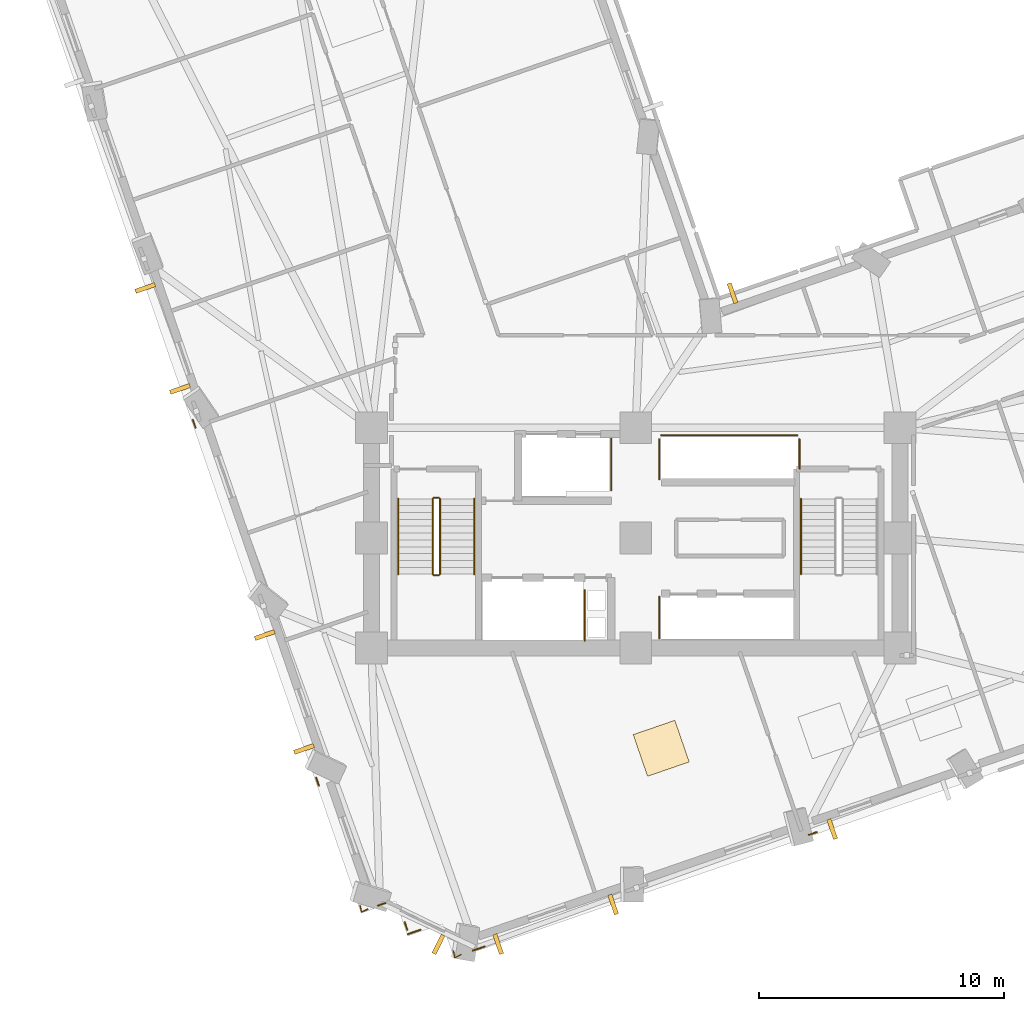
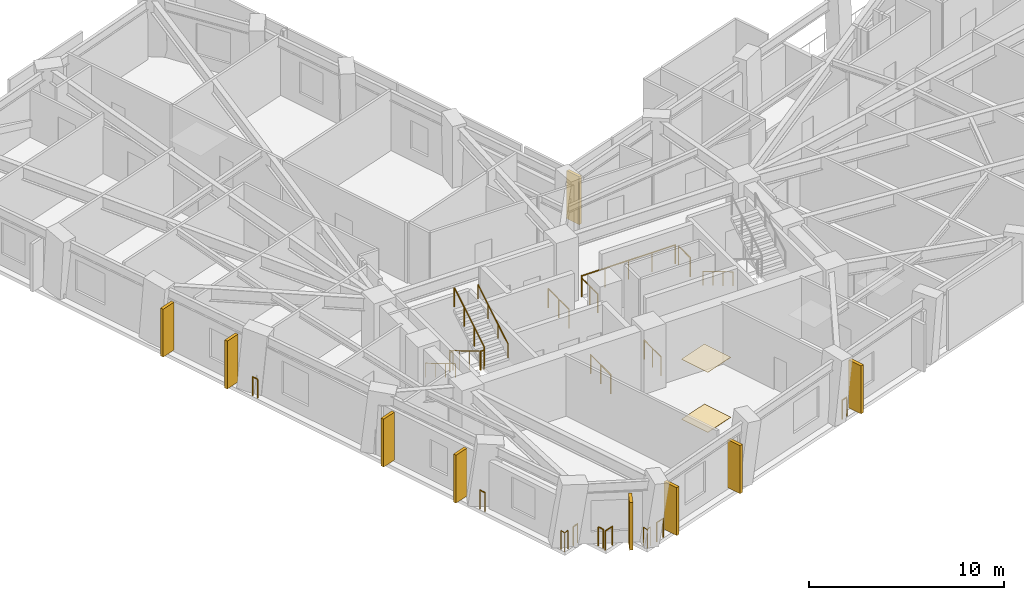
# One storey, part 12 of 15: 22 railings, 9 shading devices, 2 coverings.
"""IFC4 building model written with IfcOpenShell, lengths in metres."""

import ifcopenshell
import ifcopenshell.guid

model = None  # the IFC model being written
_history = None  # IfcOwnerHistory: only IFC2X3 demands one
_inside = {}  # id of a spatial element -> (the spatial element, [elements in it])
_under = {}  # id of a project, library or spatial element -> (it, [spatial elements below it])
_declared = {}  # id of a project -> (the project, [libraries it declares])
_typed = {}  # id of a type object -> (the type object, [elements of that type])
_made_of = {}  # id of a material, layer set ... -> (it, [elements and type objects made of it])


def new_model(schema):
    """Start an empty IFC model of exactly this schema.

    Asked for "IFC4X3", IfcOpenShell would pick the latest addendum, in which some entities
    have other attributes; the version numbers below select the first issue.
    IFC2X3 requires an IfcOwnerHistory on every rooted entity: one is made here for all.
    """
    global model, _history
    if schema == "IFC4X3":
        model = ifcopenshell.file(schema_version=(4, 3, 0, 0))
    else:
        model = ifcopenshell.file(schema=schema)
    _inside.clear()
    _under.clear()
    _declared.clear()
    _typed.clear()
    _made_of.clear()
    _history = None
    if model.schema == "IFC2X3":
        org = make("IfcOrganization", Name="unknown")
        user = make(
            "IfcPersonAndOrganization",
            ThePerson=make("IfcPerson", FamilyName="unknown"),
            TheOrganization=org,
        )
        app = make(
            "IfcApplication",
            ApplicationDeveloper=org,
            Version="unknown",
            ApplicationFullName="unknown",
            ApplicationIdentifier="unknown",
        )
        _history = make(
            "IfcOwnerHistory",
            OwningUser=user,
            OwningApplication=app,
            ChangeAction="ADDED",
            CreationDate=0,
        )
    return model


def make(cls, **values):
    """One entity of the class cls with the attributes given. An attribute that is None is left unset."""
    return model.create_entity(
        cls, **{name: value for name, value in values.items() if value is not None}
    )


def rooted(cls, **values):
    """An entity with a GlobalId (a new one), such as an element, a storey or a relation."""
    return make(cls, GlobalId=ifcopenshell.guid.new(), OwnerHistory=_history, **values)


def si_unit(unit_type, name, prefix=None):
    """IfcSIUnit, for example si_unit("LENGTHUNIT", "METRE", prefix="MILLI")."""
    return make("IfcSIUnit", UnitType=unit_type, Prefix=prefix, Name=name)


def assignment(units):
    """IfcUnitAssignment: the units of a project."""
    return None if units is None else make("IfcUnitAssignment", Units=units)


def point(xyz):
    """IfcCartesianPoint."""
    return None if xyz is None else make("IfcCartesianPoint", Coordinates=xyz)


def direction(xyz):
    """IfcDirection."""
    return None if xyz is None else make("IfcDirection", DirectionRatios=xyz)


def frame(location, z_axis=None, x_axis=None):
    """IfcAxis2Placement3D, a coordinate frame: its origin and axes. An axis left out is left unset."""
    return make(
        "IfcAxis2Placement3D",
        Location=point(location),
        Axis=direction(z_axis),
        RefDirection=direction(x_axis),
    )


def frame_2d(location, x_axis=None):
    """IfcAxis2Placement2D, a coordinate frame in the plane: its origin and x axis."""
    return make(
        "IfcAxis2Placement2D", Location=point(location), RefDirection=direction(x_axis)
    )


def origin():
    """The frame at (0, 0, 0) with its axes left unset."""
    return frame((0.0, 0.0, 0.0))


def origin_2d():
    """The frame at (0, 0) in the plane with its x axis left unset."""
    return frame_2d((0.0, 0.0))


def place(relative_to, where):
    """IfcLocalPlacement: puts the frame where relative to a parent placement (None: the world)."""
    return make(
        "IfcLocalPlacement", PlacementRelTo=relative_to, RelativePlacement=where
    )


def context(
    kind, dimensions, precision=None, world=None, true_north=None, identifier=None
):
    """IfcGeometricRepresentationContext, for example the 3D "Model" context."""
    return make(
        "IfcGeometricRepresentationContext",
        ContextIdentifier=identifier,
        ContextType=kind,
        CoordinateSpaceDimension=dimensions,
        Precision=precision,
        WorldCoordinateSystem=world,
        TrueNorth=true_north,
    )


def subcontext(parent, identifier, kind, view, scale=None):
    """IfcGeometricRepresentationSubContext, for example "Body" below "Model"."""
    return make(
        "IfcGeometricRepresentationSubContext",
        ContextIdentifier=identifier,
        ContextType=kind,
        ParentContext=parent,
        TargetScale=scale,
        TargetView=view,
    )


def project(units=None, contexts=None):
    """IfcProject with its units and contexts."""
    return rooted(
        "IfcProject",
        Name="project",
        RepresentationContexts=contexts,
        UnitsInContext=assignment(units),
    )


def spatial(cls, under=None, at=None, **own):
    """A site, building, storey or space (cls), placed at a placement, below another one or the project."""
    s = rooted(cls, ObjectPlacement=at, **own)
    if under is not None:
        _under.setdefault(under.id(), (under, []))[1].append(s)
    return s


def profile(cls, at=None, kind="AREA", **sizes):
    """A parametric profile (cls). Its sizes go by their IFC names, for example OverallWidth=200.0."""
    return make(cls, ProfileType=kind, Position=at, **sizes)


def rectangle(**sizes):
    """IfcRectangleProfileDef."""
    return profile("IfcRectangleProfileDef", **sizes)


def circle(**sizes):
    """IfcCircleProfileDef."""
    return profile("IfcCircleProfileDef", **sizes)


def extrude(swept, where, along, depth):
    """IfcExtrudedAreaSolid: the profile swept, set in the frame where, extruded along a direction by depth."""
    return make(
        "IfcExtrudedAreaSolid",
        SweptArea=swept,
        Position=where,
        ExtrudedDirection=direction(along),
        Depth=depth,
    )


def shape(context_of_items, identifier, shape_type, items):
    """IfcShapeRepresentation: the items that make up one representation, for example the "Body"."""
    return make(
        "IfcShapeRepresentation",
        ContextOfItems=context_of_items,
        RepresentationIdentifier=identifier,
        RepresentationType=shape_type,
        Items=items,
    )


def material(Name=None, Category=None):
    """IfcMaterial."""
    return make("IfcMaterial", Name=Name, Category=Category)


def layer(
    of_material, thickness, ventilated=None, Name=None, Category=None, Priority=None
):
    """IfcMaterialLayer: one layer of a wall or slab, of a material (None: an air gap)."""
    return make(
        "IfcMaterialLayer",
        Material=of_material,
        LayerThickness=thickness,
        IsVentilated=ventilated,
        Name=Name,
        Category=Category,
        Priority=Priority,
    )


def layer_set(layers, Name=None):
    """IfcMaterialLayerSet."""
    return make("IfcMaterialLayerSet", MaterialLayers=layers, LayerSetName=Name)


def made_of(thing, what):
    """Note that an element or type object is made of a material, layer set ...; save() writes the relation."""
    if what is not None:
        _made_of.setdefault(what.id(), (what, []))[1].append(thing)
    return thing


def type_object(cls, material=None, **own):
    """A type object (cls), such as IfcWallType, which elements share."""
    return made_of(rooted(cls, **own), material)


def element(
    cls,
    number,
    at=None,
    inside=None,
    cuts=None,
    type_object=None,
    material=None,
    context=None,
    identifier="Body",
    shape_type=None,
    held_by="IfcProductDefinitionShape",
    body=None,
    shapes=None,
    **own,
):
    """One element of the class cls, such as IfcWall. Its Tag is "e" and its number.

    at: its placement. inside: the storey or other place that contains it. cuts: it is an
    opening in that element (IfcRelVoidsElement). A single representation is given by context,
    identifier, shape_type and body (its items); several are given by shapes. held_by: the class
    of the entity that holds the representations. save() writes the other relations.
    """
    e = rooted(cls, Tag="e%d" % number, ObjectPlacement=at, **own)
    if body is not None:
        shapes = [shape(context, identifier, shape_type, body)]
    if shapes is not None:
        e.Representation = make(held_by, Representations=shapes)
    if inside is not None:
        _inside.setdefault(inside.id(), (inside, []))[1].append(e)
    if cuts is not None:
        rooted(
            "IfcRelVoidsElement", RelatingBuildingElement=cuts, RelatedOpeningElement=e
        )
    if type_object is not None:
        _typed.setdefault(type_object.id(), (type_object, []))[1].append(e)
    return made_of(e, material)


def aggregate(whole, parts):
    """IfcRelAggregates: a whole, such as a stair, and the parts it consists of."""
    return rooted("IfcRelAggregates", RelatingObject=whole, RelatedObjects=parts)


def save(model, path):
    """Write the relations noted so far, then the file.

    IfcRelAggregates (storeys below a building ...), IfcRelContainedInSpatialStructure (elements
    in a storey), IfcRelDefinesByType, IfcRelAssociatesMaterial and IfcRelDeclares: one each for
    every whole, place, type object, material and project.
    """
    for whole, parts in _under.values():
        aggregate(whole, parts)
    for where, things in _inside.values():
        rooted(
            "IfcRelContainedInSpatialStructure",
            RelatedElements=things,
            RelatingStructure=where,
        )
    for kind, things in _typed.values():
        rooted("IfcRelDefinesByType", RelatedObjects=things, RelatingType=kind)
    for what, things in _made_of.values():
        rooted("IfcRelAssociatesMaterial", RelatedObjects=things, RelatingMaterial=what)
    for by, libraries in _declared.values():
        rooted("IfcRelDeclares", RelatingContext=by, RelatedDefinitions=libraries)
    model.write(path)


model = new_model("IFC4")

# Units and contexts
model_context = context("Model", 3, precision=1e-05, world=origin(), true_north=direction((0.0, 1.0)))
body_context = subcontext(model_context, "Body", "Model", "MODEL_VIEW")
ifc_project = project(units=[si_unit("LENGTHUNIT", "METRE"), si_unit("AREAUNIT", "SQUARE_METRE"), si_unit("VOLUMEUNIT", "CUBIC_METRE"), si_unit("PLANEANGLEUNIT", "RADIAN"), si_unit("MASSUNIT", "GRAM", prefix="KILO")], contexts=[model_context])

# Site, building, storey
site_placement = place(None, origin())
site = spatial("IfcSite", under=ifc_project, at=site_placement, CompositionType="ELEMENT")
building_placement = place(site_placement, origin())
building = spatial("IfcBuilding", under=site, at=building_placement, Name="Gaonmaruhae Medical Tower", CompositionType="ELEMENT")
storey_placement = place(building_placement, frame((0.0, 0.0, 104.39990234375)))
storey = spatial("IfcBuildingStorey", under=building, at=storey_placement, Name="L24", CompositionType="ELEMENT", Elevation=104.39990234375)

# Coverings
ifc_material_1 = material(Name="Acoustic mineral ceiling tile", Category="finish")
ifc_layer_1 = layer(ifc_material_1, 0.02490234375)
ifc_layer_set_1 = layer_set([ifc_layer_1], Name="Acoustic mineral ceiling tile")
covering_type_1 = type_object("IfcCoveringType", Name="CLG-01 Antimicrobial Acoustic Mineral Ceiling", PredefinedType="CEILING", material=ifc_layer_set_1)
covering_1_placement = place(storey_placement, frame((25.84033203125, 3.7041015625, 3.755126953125), z_axis=(0.0, 0.0, 1.0), x_axis=(0.945518575599, 0.325568154457, 0.0)))
element("IfcCovering", 1, at=covering_1_placement, inside=storey, type_object=covering_type_1, Name="L24 Clinical Room Acoustic Ceiling 2", PredefinedType="CEILING", context=body_context, shape_type="SweptSolid", body=[
    extrude(rectangle(XDim=1.800048828125, YDim=1.800048828125, at=origin_2d()), origin(), (0.0, 0.0, 1.0), 0.02490234375),
])
ifc_material_2 = material(Name="Seamless clinical vinyl flooring", Category="finish")
ifc_layer_2 = layer(ifc_material_2, 0.014892578125)
ifc_layer_set_2 = layer_set([ifc_layer_2], Name="Seamless clinical vinyl flooring")
covering_type_2 = type_object("IfcCoveringType", Name="FLR-01 Seamless Clinical Antistatic Vinyl Flooring", PredefinedType="FLOORING", material=ifc_layer_set_2)
covering_2_placement = place(storey_placement, frame((25.84033203125, 3.7041015625, 0.0), z_axis=(0.0, 0.0, 1.0), x_axis=(0.945518575599, 0.325568154457, 0.0)))
element("IfcCovering", 2, at=covering_2_placement, inside=storey, type_object=covering_type_2, Name="L24 Clinical Room Vinyl Flooring 2", PredefinedType="FLOORING", context=body_context, shape_type="SweptSolid", body=[
    extrude(rectangle(XDim=1.800048828125, YDim=1.800048828125, at=origin_2d()), origin(), (0.0, 0.0, 1.0), 0.014892578125),
])

# Railings
ifc_material_3 = material(Name="Stainless steel 316L and laminated safety glass", Category="steel")
ifc_layer_3 = layer(ifc_material_3, 0.080078125)
ifc_layer_set_3 = layer_set([ifc_layer_3], Name="Stainless steel 316L and laminated safety glass")
railing_type_1 = type_object("IfcRailingType", Name="GD-120 Outdoor Terrace Safety Glass & Steel Balustrade", PredefinedType="BALUSTRADE", material=ifc_layer_set_3)
railing_1_placement = place(storey_placement, frame((32.1923828125, 0.275634765625, 0.0)))
element("IfcRailing", 3, at=railing_1_placement, inside=storey, type_object=railing_type_1, Name="L24 Perimeter Slab Edge Safety Balustrade 04", PredefinedType="BALUSTRADE", context=body_context, shape_type="SweptSolid", body=[
    extrude(circle(Radius=0.02392578125, at=origin_2d()), frame((0.0, 0.0, 1.17578125), z_axis=(-0.945617441431, -0.325280885485, 0.0), x_axis=(0.325280885485, -0.945617441431, 0.0)), (0.0, 0.0, 1.0), 0.33935546875),
    extrude(circle(Radius=0.02099609375, at=origin_2d()), origin(), (0.0, 0.0, 1.0), 1.15185546875),
    extrude(circle(Radius=0.02099609375, at=origin_2d()), frame((-0.32080078125, -0.1103515625, 0.0)), (0.0, 0.0, 1.0), 1.15185546875),
])
railing_2_placement = place(storey_placement, frame((18.625, -4.39599609375, 0.0)))
element("IfcRailing", 4, at=railing_2_placement, inside=storey, type_object=railing_type_1, Name="L24 Perimeter Slab Edge Safety Balustrade 05", PredefinedType="BALUSTRADE", context=body_context, shape_type="SweptSolid", body=[
    extrude(circle(Radius=0.02392578125, at=origin_2d()), frame((0.0, 0.0, 1.17578125), z_axis=(-0.945482956691, -0.325671580901, 0.0), x_axis=(0.325671580901, -0.945482956691, 0.0)), (0.0, 0.0, 1.0), 0.518798828125),
    extrude(circle(Radius=0.02099609375, at=origin_2d()), origin(), (0.0, 0.0, 1.0), 1.15185546875),
    extrude(circle(Radius=0.02099609375, at=origin_2d()), frame((-0.490478515625, -0.1689453125, 0.0)), (0.0, 0.0, 1.0), 1.15185546875),
])
railing_3_placement = place(storey_placement, frame((16.00390625, -3.712158203125, 0.0)))
element("IfcRailing", 5, at=railing_3_placement, inside=storey, type_object=railing_type_1, Name="L24 Perimeter Slab Edge Safety Balustrade 06", PredefinedType="BALUSTRADE", context=body_context, shape_type="SweptSolid", body=[
    extrude(circle(Radius=0.02392578125, at=origin_2d()), frame((0.0, 0.0, 1.17578125), z_axis=(-0.945585990599, -0.325372301193, 0.0), x_axis=(0.325372301193, -0.945585990599, 0.0)), (0.0, 0.0, 1.0), 0.559814453125),
    extrude(circle(Radius=0.02099609375, at=origin_2d()), origin(), (0.0, 0.0, 1.0), 1.15185546875),
    extrude(circle(Radius=0.02099609375, at=origin_2d()), frame((-0.529296875, -0.18212890625, 0.0)), (0.0, 0.0, 1.0), 1.15185546875),
])
railing_4_placement = place(storey_placement, frame((15.462158203125, -3.704833984375, 0.0)))
element("IfcRailing", 6, at=railing_4_placement, inside=storey, type_object=railing_type_1, Name="L24 Perimeter Slab Edge Safety Balustrade 07", PredefinedType="BALUSTRADE", context=body_context, shape_type="SweptSolid", body=[
    extrude(circle(Radius=0.02392578125, at=origin_2d()), frame((0.0, 0.0, 1.17578125), z_axis=(-0.32585248425, 0.945420625176, 0.0), x_axis=(-0.945420625176, -0.32585248425, 0.0)), (0.0, 0.0, 1.0), 0.32666015625),
    extrude(circle(Radius=0.02099609375, at=origin_2d()), origin(), (0.0, 0.0, 1.0), 1.15185546875),
    extrude(circle(Radius=0.02099609375, at=origin_2d()), frame((-0.1064453125, 0.308837890625, 0.0)), (0.0, 0.0, 1.0), 1.15185546875),
])
railing_5_placement = place(storey_placement, frame((14.570068359375, -2.619384765625, 0.0)))
element("IfcRailing", 7, at=railing_5_placement, inside=storey, type_object=railing_type_1, Name="L24 Perimeter Slab Edge Safety Balustrade 08", PredefinedType="BALUSTRADE", context=body_context, shape_type="SweptSolid", body=[
    extrude(circle(Radius=0.02392578125, at=origin_2d()), frame((0.0, 0.0, 1.17578125), z_axis=(-0.945650685023, -0.325184227656, 0.0), x_axis=(0.325184227656, -0.945650685023, 0.0)), (0.0, 0.0, 1.0), 0.32666015625),
    extrude(circle(Radius=0.02099609375, at=origin_2d()), origin(), (0.0, 0.0, 1.0), 1.15185546875),
    extrude(circle(Radius=0.02099609375, at=origin_2d()), frame((-0.308837890625, -0.106201171875, 0.0)), (0.0, 0.0, 1.0), 1.15185546875),
])
for number, where, name in (
    (8, (11.84912109375, 2.180908203125, 0.0), "L24 Perimeter Slab Edge Safety Balustrade 09"),
    (9, (6.81396484375, 16.803955078125, 0.0), "L24 Perimeter Slab Edge Safety Balustrade 10"),
):
    element("IfcRailing", number, at=place(storey_placement, frame(where)), inside=storey, type_object=railing_type_1, Name=name, PredefinedType="BALUSTRADE", context=body_context, shape_type="SweptSolid", body=[
        extrude(circle(Radius=0.02392578125, at=origin_2d()), frame((0.0, 0.0, 1.17578125), z_axis=(-0.326123506952, 0.945327169933, 0.0), x_axis=(-0.945327169933, -0.326123506952, 0.0)), (0.0, 0.0, 1.0), 0.33984375),
        extrude(circle(Radius=0.02099609375, at=origin_2d()), origin(), (0.0, 0.0, 1.0), 1.15185546875),
        extrude(circle(Radius=0.02099609375, at=origin_2d()), frame((-0.11083984375, 0.3212890625, 0.0)), (0.0, 0.0, 1.0), 1.15185546875),
    ])
railing_6_placement = place(storey_placement, frame((17.664794921875, -4.7265625, 0.0)))
element("IfcRailing", 10, at=railing_6_placement, inside=storey, type_object=railing_type_1, Name="L24 Perimeter Corner Safety Balustrade 11", PredefinedType="BALUSTRADE", context=body_context, shape_type="SweptSolid", body=[
    extrude(circle(Radius=0.02392578125, at=origin_2d()), frame((0.0, 0.0, 1.17578125), z_axis=(-0.898637671992, -0.438691616602, 0.0), x_axis=(0.438691616602, -0.898637671992, 0.0)), (0.0, 0.0, 1.0), 0.287109375),
    extrude(circle(Radius=0.02392578125, at=origin_2d()), frame((-0.258056640625, -0.1259765625, 1.17578125), z_axis=(-0.208194129754, 0.978087523863, 0.0), x_axis=(-0.978087523863, -0.208194129754, 0.0)), (0.0, 0.0, 1.0), 0.287353515625),
    extrude(circle(Radius=0.02099609375, at=origin_2d()), origin(), (0.0, 0.0, 1.0), 1.15185546875),
    extrude(circle(Radius=0.02099609375, at=origin_2d()), frame((-0.258056640625, -0.1259765625, 0.0)), (0.0, 0.0, 1.0), 1.15185546875),
    extrude(circle(Radius=0.02099609375, at=origin_2d()), frame((-0.31787109375, 0.155029296875, 0.0)), (0.0, 0.0, 1.0), 1.15185546875),
])
railing_7_placement = place(storey_placement, frame((13.8515625, -2.86669921875, 0.0)))
element("IfcRailing", 11, at=railing_7_placement, inside=storey, type_object=railing_type_1, Name="L24 Perimeter Corner Safety Balustrade 12", PredefinedType="BALUSTRADE", context=body_context, shape_type="SweptSolid", body=[
    extrude(circle(Radius=0.02392578125, at=origin_2d()), frame((0.0, 0.0, 1.17578125), z_axis=(-0.898637671992, -0.438691616602, 0.0), x_axis=(0.438691616602, -0.898637671992, 0.0)), (0.0, 0.0, 1.0), 0.287109375),
    extrude(circle(Radius=0.02392578125, at=origin_2d()), frame((-0.258056640625, -0.1259765625, 1.17578125), z_axis=(-0.208367311262, 0.9780506447, 0.0), x_axis=(-0.9780506447, -0.208367311262, 0.0)), (0.0, 0.0, 1.0), 0.287109375),
    extrude(circle(Radius=0.02099609375, at=origin_2d()), origin(), (0.0, 0.0, 1.0), 1.15185546875),
    extrude(circle(Radius=0.02099609375, at=origin_2d()), frame((-0.258056640625, -0.1259765625, 0.0)), (0.0, 0.0, 1.0), 1.15185546875),
    extrude(circle(Radius=0.02099609375, at=origin_2d()), frame((-0.31787109375, 0.15478515625, 0.0)), (0.0, 0.0, 1.0), 1.15185546875),
])
ifc_material_4 = material(Name="Stainless steel 304 handrail", Category="steel")
railing_type_2 = type_object("IfcRailingType", Name="HR-092 Continuous Stainless Steel Stair Handrail", PredefinedType="HANDRAIL", material=ifc_material_4)
railing_8_placement = place(storey_placement, frame((15.10009765625, 13.89990234375, 0.166748046875)))
element("IfcRailing", 12, at=railing_8_placement, inside=storey, type_object=railing_type_2, Name="L24 ST-01 stair handrail 1", PredefinedType="HANDRAIL", context=body_context, shape_type="SweptSolid", body=[
    extrude(circle(Radius=0.02392578125, at=origin_2d()), frame((0.0, 0.0, 0.8759765625), z_axis=(0.0, -0.859290745958, 0.51148745235), x_axis=(1.0, 0.0, 0.0)), (0.0, 0.0, 1.0), 3.584228515625),
    extrude(circle(Radius=0.02099609375, at=origin_2d()), origin(), (0.0, 0.0, 1.0), 0.851806640625),
    extrude(circle(Radius=0.02099609375, at=origin_2d()), frame((0.0, -1.026611328125, 0.611083984375)), (0.0, 0.0, 1.0), 0.851806640625),
    extrude(circle(Radius=0.02099609375, at=origin_2d()), frame((0.0, -2.05322265625, 1.22216796875)), (0.0, 0.0, 1.0), 0.851806640625),
    extrude(circle(Radius=0.02099609375, at=origin_2d()), frame((0.0, -3.079833984375, 1.833251953125)), (0.0, 0.0, 1.0), 0.851806640625),
])
railing_9_placement = place(storey_placement, frame((18.199951171875, 10.820068359375, 2.166748046875)))
element("IfcRailing", 13, at=railing_9_placement, inside=storey, type_object=railing_type_2, Name="L24 ST-01 stair handrail 2", PredefinedType="HANDRAIL", context=body_context, shape_type="SweptSolid", body=[
    extrude(circle(Radius=0.02392578125, at=origin_2d()), frame((0.0, 0.0, 0.8759765625), z_axis=(0.0, 0.859290745958, 0.51148745235), x_axis=(-1.0, 0.0, 0.0)), (0.0, 0.0, 1.0), 3.584228515625),
    extrude(circle(Radius=0.02099609375, at=origin_2d()), origin(), (0.0, 0.0, 1.0), 0.851806640625),
    extrude(circle(Radius=0.02099609375, at=origin_2d()), frame((0.0, 1.026611328125, 0.611083984375)), (0.0, 0.0, 1.0), 0.851806640625),
    extrude(circle(Radius=0.02099609375, at=origin_2d()), frame((0.0, 2.05322265625, 1.22216796875)), (0.0, 0.0, 1.0), 0.851806640625),
    extrude(circle(Radius=0.02099609375, at=origin_2d()), frame((0.0, 3.079833984375, 1.833251953125)), (0.0, 0.0, 1.0), 0.851806640625),
])
railing_10_placement = place(storey_placement, frame((31.550048828125, 13.89990234375, 0.166748046875)))
element("IfcRailing", 14, at=railing_10_placement, inside=storey, type_object=railing_type_2, Name="L24 ST-02 stair handrail 1", PredefinedType="HANDRAIL", context=body_context, shape_type="SweptSolid", body=[
    extrude(circle(Radius=0.02392578125, at=origin_2d()), frame((0.0, 0.0, 0.8759765625), z_axis=(0.0, -0.859290745958, 0.51148745235), x_axis=(1.0, 0.0, 0.0)), (0.0, 0.0, 1.0), 3.584228515625),
    extrude(circle(Radius=0.02099609375, at=origin_2d()), origin(), (0.0, 0.0, 1.0), 0.851806640625),
    extrude(circle(Radius=0.02099609375, at=origin_2d()), frame((0.0, -1.026611328125, 0.611083984375)), (0.0, 0.0, 1.0), 0.851806640625),
    extrude(circle(Radius=0.02099609375, at=origin_2d()), frame((0.0, -2.05322265625, 1.22216796875)), (0.0, 0.0, 1.0), 0.851806640625),
    extrude(circle(Radius=0.02099609375, at=origin_2d()), frame((0.0, -3.079833984375, 1.833251953125)), (0.0, 0.0, 1.0), 0.851806640625),
])

# Shading devices
ifc_material_5 = material(Name="Pigmented coral precast concrete C45/55", Category="concrete")
shading_device_type = type_object("IfcShadingDeviceType", Name="SD-FIN1 Tower Vertical Coral Precast Shading Fin", PredefinedType="USERDEFINED", material=ifc_material_5)
for number, where, z_axis, x_axis, name in (
    (15, (23.876220703125, -2.677734375, 0.08251953125), (0.0, 0.0, 1.0), (-0.945518575599, -0.325568154457, 0.0), "L24 Vertical Coral Precast Shading Fin S01"),
    (16, (19.1767578125, -4.2958984375, 0.08251953125), (0.0, 0.0, 1.0), (-0.945518575599, -0.325568154457, 0.0), "L24 Vertical Coral Precast Shading Fin S01B"),
    (17, (32.8251953125, 0.403564453125, 0.08251953125), (0.0, 0.0, 1.0), (-0.945524257692, -0.325551651995, 0.0), "L24 Vertical Coral Precast Shading Fin S03B"),
    (18, (28.75439453125, 22.30126953125, 0.08251953125), (0.0, 0.0, 1.0), (0.945518575599, 0.325568154457, 0.0), "L24 Vertical Coral Precast Shading Fin EN03"),
    (19, (6.177490234375, 18.39111328125, 0.08251953125), (0.0, 0.0, 1.0), (-0.325568154457, 0.945518575599, 0.0), "L24 Vertical Coral Precast Shading Fin W03"),
    (20, (4.75732421875, 22.515869140625, 0.08251953125), (0.0, 0.0, 1.0), (-0.325568154457, 0.945518575599, 0.0), "L24 Vertical Coral Precast Shading Fin W03B"),
    (21, (11.243896484375, 3.677001953125, 0.08251953125), (0.0, 0.0, 1.0), (-0.325551651995, 0.945524257692, 0.0), "L24 Vertical Coral Precast Shading Fin W05"),
    (22, (9.64111328125, 8.332275390625, 0.08251953125), (0.0, 0.0, 1.0), (-0.325551651995, 0.945524257692, 0.0), "L24 Vertical Coral Precast Shading Fin W05B"),
    (23, (16.7412109375, -4.306884765625, 0.08251953125), (0.0, 0.0, 1.0), (-0.898786395142, 0.438386833638, 0.0), "L24 Vertical Coral Precast Shading Fin W07"),
):
    element("IfcShadingDevice", number, at=place(storey_placement, frame(where, z_axis=z_axis, x_axis=x_axis)), inside=storey, type_object=shading_device_type, Name=name, ObjectType="FIN", PredefinedType="USERDEFINED", context=body_context, shape_type="SweptSolid", body=[
        extrude(rectangle(XDim=0.179931640625, YDim=0.85009765625, at=origin_2d()), origin(), (0.0, 0.0, 1.0), 3.0),
    ])

# Railings
ifc_material_6 = material(Name="Stainless steel 304 balustrade", Category="steel")
railing_type_3 = type_object("IfcRailingType", Name="SG-112 Stair Well & Ramp Void Safety Balustrade", PredefinedType="BALUSTRADE", material=ifc_material_6)
railing_11_placement = place(storey_placement, frame((16.5, 13.89990234375, 0.166748046875)))
element("IfcRailing", 24, at=railing_11_placement, inside=storey, type_object=railing_type_3, Name="L24 ST-01 stair guard 1", PredefinedType="BALUSTRADE", context=body_context, shape_type="SweptSolid", body=[
    extrude(circle(Radius=0.02392578125, at=origin_2d()), frame((0.0, 0.0, 1.17578125), z_axis=(0.0, -0.859290745958, 0.51148745235), x_axis=(1.0, 0.0, 0.0)), (0.0, 0.0, 1.0), 3.584228515625),
    extrude(circle(Radius=0.02099609375, at=origin_2d()), origin(), (0.0, 0.0, 1.0), 1.15185546875),
    extrude(circle(Radius=0.02099609375, at=origin_2d()), frame((0.0, -1.026611328125, 0.611083984375)), (0.0, 0.0, 1.0), 1.15185546875),
    extrude(circle(Radius=0.02099609375, at=origin_2d()), frame((0.0, -2.05322265625, 1.22216796875)), (0.0, 0.0, 1.0), 1.15185546875),
    extrude(circle(Radius=0.02099609375, at=origin_2d()), frame((0.0, -3.079833984375, 1.833251953125)), (0.0, 0.0, 1.0), 1.15185546875),
])
railing_12_placement = place(storey_placement, frame((16.550048828125, 10.77001953125, 2.0)))
element("IfcRailing", 25, at=railing_12_placement, inside=storey, type_object=railing_type_3, Name="L24 ST-01 stair guard 2", PredefinedType="BALUSTRADE", context=body_context, shape_type="SweptSolid", body=[
    extrude(circle(Radius=0.02392578125, at=origin_2d()), frame((0.0, 0.0, 1.17578125), z_axis=(1.0, 0.0, 0.0), x_axis=(0.0, 1.0, 0.0)), (0.0, 0.0, 1.0), 0.199951171875),
    extrude(circle(Radius=0.02099609375, at=origin_2d()), origin(), (0.0, 0.0, 1.0), 1.15185546875),
    extrude(circle(Radius=0.02099609375, at=origin_2d()), frame((0.199951171875, 0.0, 0.0)), (0.0, 0.0, 1.0), 1.15185546875),
])
railing_13_placement = place(storey_placement, frame((16.800048828125, 10.820068359375, 2.166748046875)))
element("IfcRailing", 26, at=railing_13_placement, inside=storey, type_object=railing_type_3, Name="L24 ST-01 stair guard 3", PredefinedType="BALUSTRADE", context=body_context, shape_type="SweptSolid", body=[
    extrude(circle(Radius=0.02392578125, at=origin_2d()), frame((0.0, 0.0, 1.17578125), z_axis=(0.0, 0.859290745958, 0.51148745235), x_axis=(-1.0, 0.0, 0.0)), (0.0, 0.0, 1.0), 3.584228515625),
    extrude(circle(Radius=0.02099609375, at=origin_2d()), origin(), (0.0, 0.0, 1.0), 1.15185546875),
    extrude(circle(Radius=0.02099609375, at=origin_2d()), frame((0.0, 1.026611328125, 0.611083984375)), (0.0, 0.0, 1.0), 1.15185546875),
    extrude(circle(Radius=0.02099609375, at=origin_2d()), frame((0.0, 2.05322265625, 1.22216796875)), (0.0, 0.0, 1.0), 1.15185546875),
    extrude(circle(Radius=0.02099609375, at=origin_2d()), frame((0.0, 3.079833984375, 1.833251953125)), (0.0, 0.0, 1.0), 1.15185546875),
])
railing_14_placement = place(storey_placement, frame((16.550048828125, 13.949951171875, 0.0)))
element("IfcRailing", 27, at=railing_14_placement, inside=storey, type_object=railing_type_3, Name="L24 ST-01 stair guard 4", PredefinedType="BALUSTRADE", context=body_context, shape_type="SweptSolid", body=[
    extrude(circle(Radius=0.02392578125, at=origin_2d()), frame((0.0, 0.0, 1.17578125), z_axis=(1.0, 0.0, 0.0), x_axis=(0.0, 1.0, 0.0)), (0.0, 0.0, 1.0), 0.199951171875),
    extrude(circle(Radius=0.02099609375, at=origin_2d()), origin(), (0.0, 0.0, 1.0), 1.15185546875),
    extrude(circle(Radius=0.02099609375, at=origin_2d()), frame((0.199951171875, 0.0, 0.0)), (0.0, 0.0, 1.0), 1.15185546875),
])
railing_15_placement = place(storey_placement, frame((25.7548828125, 8.195068359375, 0.0)))
element("IfcRailing", 28, at=railing_15_placement, inside=storey, type_object=railing_type_3, Name="L24 Shaft Edge Safety Guard 14", PredefinedType="BALUSTRADE", context=body_context, shape_type="SweptSolid", body=[
    extrude(circle(Radius=0.02392578125, at=origin_2d()), frame((0.0, 0.0, 1.17578125), z_axis=(0.0, 1.0, 0.0), x_axis=(-1.0, 0.0, 0.0)), (0.0, 0.0, 1.0), 1.7099609375),
    extrude(circle(Radius=0.02099609375, at=origin_2d()), origin(), (0.0, 0.0, 1.0), 1.15185546875),
    extrude(circle(Radius=0.02099609375, at=origin_2d()), frame((0.0, 0.85498046875, 0.0)), (0.0, 0.0, 1.0), 1.15185546875),
    extrude(circle(Radius=0.02099609375, at=origin_2d()), frame((0.0, 1.7099609375, 0.0)), (0.0, 0.0, 1.0), 1.15185546875),
])
railing_16_placement = place(storey_placement, frame((22.719970703125, 10.159912109375, 0.0)))
element("IfcRailing", 29, at=railing_16_placement, inside=storey, type_object=railing_type_3, Name="L24 Shaft Edge Safety Guard 15", PredefinedType="BALUSTRADE", context=body_context, shape_type="SweptSolid", body=[
    extrude(circle(Radius=0.02392578125, at=origin_2d()), frame((0.0, 0.0, 1.17578125), z_axis=(0.0, -1.0, 0.0), x_axis=(1.0, 0.0, 0.0)), (0.0, 0.0, 1.0), 2.06494140625),
    extrude(circle(Radius=0.02099609375, at=origin_2d()), origin(), (0.0, 0.0, 1.0), 1.15185546875),
    extrude(circle(Radius=0.02099609375, at=origin_2d()), frame((0.0, -1.032470703125, 0.0)), (0.0, 0.0, 1.0), 1.15185546875),
    extrude(circle(Radius=0.02099609375, at=origin_2d()), frame((0.0, -2.06494140625, 0.0)), (0.0, 0.0, 1.0), 1.15185546875),
])
railing_17_placement = place(storey_placement, frame((23.794921875, 16.35498046875, 0.0)))
element("IfcRailing", 30, at=railing_17_placement, inside=storey, type_object=railing_type_3, Name="L24 Shaft Edge Safety Guard 16", PredefinedType="BALUSTRADE", context=body_context, shape_type="SweptSolid", body=[
    extrude(circle(Radius=0.02392578125, at=origin_2d()), frame((0.0, 0.0, 1.17578125), z_axis=(0.0, -1.0, 0.0), x_axis=(1.0, 0.0, 0.0)), (0.0, 0.0, 1.0), 2.10986328125),
    extrude(circle(Radius=0.02099609375, at=origin_2d()), origin(), (0.0, 0.0, 1.0), 1.15185546875),
    extrude(circle(Radius=0.02099609375, at=origin_2d()), frame((0.0, -1.054931640625, 0.0)), (0.0, 0.0, 1.0), 1.15185546875),
    extrude(circle(Radius=0.02099609375, at=origin_2d()), frame((0.0, -2.10986328125, 0.0)), (0.0, 0.0, 1.0), 1.15185546875),
])
railing_18_placement = place(storey_placement, frame((25.844970703125, 16.4951171875, 0.0)))
element("IfcRailing", 31, at=railing_18_placement, inside=storey, type_object=railing_type_3, Name="L24 Shaft Edge Safety Guard 17", PredefinedType="BALUSTRADE", context=body_context, shape_type="SweptSolid", body=[
    extrude(circle(Radius=0.02392578125, at=origin_2d()), frame((0.0, 0.0, 1.17578125), z_axis=(1.0, 0.0, 0.0), x_axis=(0.0, 1.0, 0.0)), (0.0, 0.0, 1.0), 5.56005859375),
    extrude(circle(Radius=0.02099609375, at=origin_2d()), origin(), (0.0, 0.0, 1.0), 1.15185546875),
    extrude(circle(Radius=0.02099609375, at=origin_2d()), frame((1.39013671875, 0.0, 0.0)), (0.0, 0.0, 1.0), 1.15185546875),
    extrude(circle(Radius=0.02099609375, at=origin_2d()), frame((2.780029296875, 0.0, 0.0)), (0.0, 0.0, 1.0), 1.15185546875),
    extrude(circle(Radius=0.02099609375, at=origin_2d()), frame((4.169921875, 0.0, 0.0)), (0.0, 0.0, 1.0), 1.15185546875),
    extrude(circle(Radius=0.02099609375, at=origin_2d()), frame((5.56005859375, 0.0, 0.0)), (0.0, 0.0, 1.0), 1.15185546875),
])
railing_19_placement = place(storey_placement, frame((31.4951171875, 16.330078125, 0.0)))
element("IfcRailing", 32, at=railing_19_placement, inside=storey, type_object=railing_type_3, Name="L24 Shaft Edge Safety Guard 18", PredefinedType="BALUSTRADE", context=body_context, shape_type="SweptSolid", body=[
    extrude(circle(Radius=0.02392578125, at=origin_2d()), frame((0.0, 0.0, 1.17578125), z_axis=(0.0, -1.0, 0.0), x_axis=(1.0, 0.0, 0.0)), (0.0, 0.0, 1.0), 1.2099609375),
    extrude(circle(Radius=0.02099609375, at=origin_2d()), origin(), (0.0, 0.0, 1.0), 1.15185546875),
    extrude(circle(Radius=0.02099609375, at=origin_2d()), frame((0.0, -1.2099609375, 0.0)), (0.0, 0.0, 1.0), 1.15185546875),
])
railing_20_placement = place(storey_placement, frame((25.7548828125, 14.695068359375, 0.0)))
element("IfcRailing", 33, at=railing_20_placement, inside=storey, type_object=railing_type_3, Name="L24 Shaft Edge Safety Guard 19", PredefinedType="BALUSTRADE", context=body_context, shape_type="SweptSolid", body=[
    extrude(circle(Radius=0.02392578125, at=origin_2d()), frame((0.0, 0.0, 1.17578125), z_axis=(0.0, 1.0, 0.0), x_axis=(-1.0, 0.0, 0.0)), (0.0, 0.0, 1.0), 1.635009765625),
    extrude(circle(Radius=0.02099609375, at=origin_2d()), origin(), (0.0, 0.0, 1.0), 1.15185546875),
    extrude(circle(Radius=0.02099609375, at=origin_2d()), frame((0.0, 0.8173828125, 0.0)), (0.0, 0.0, 1.0), 1.15185546875),
    extrude(circle(Radius=0.02099609375, at=origin_2d()), frame((0.0, 1.635009765625, 0.0)), (0.0, 0.0, 1.0), 1.15185546875),
])

save(model, "model.ifc")
